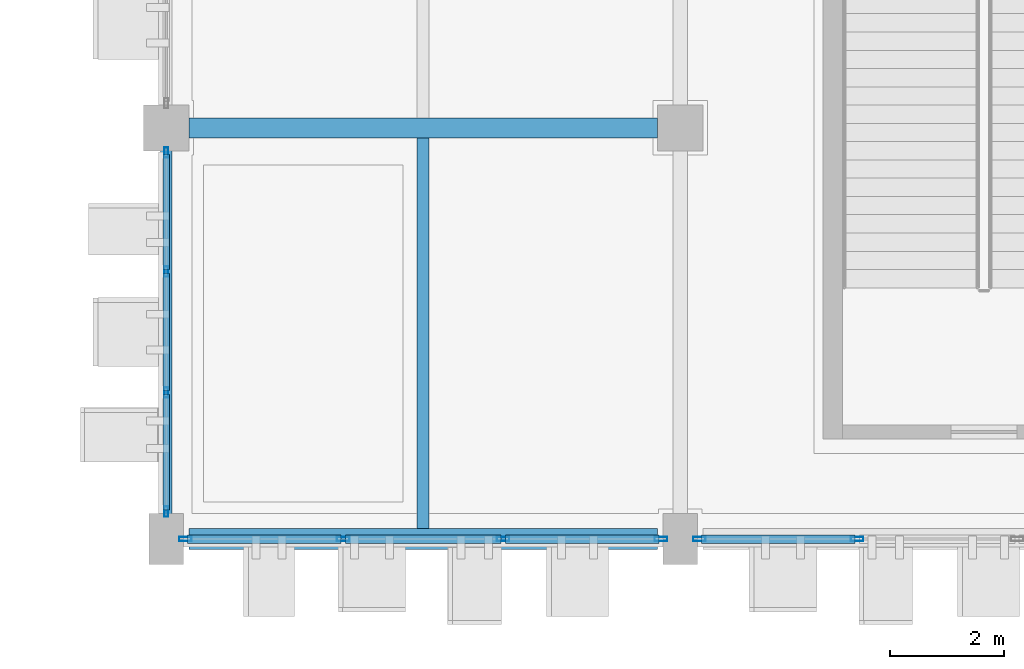
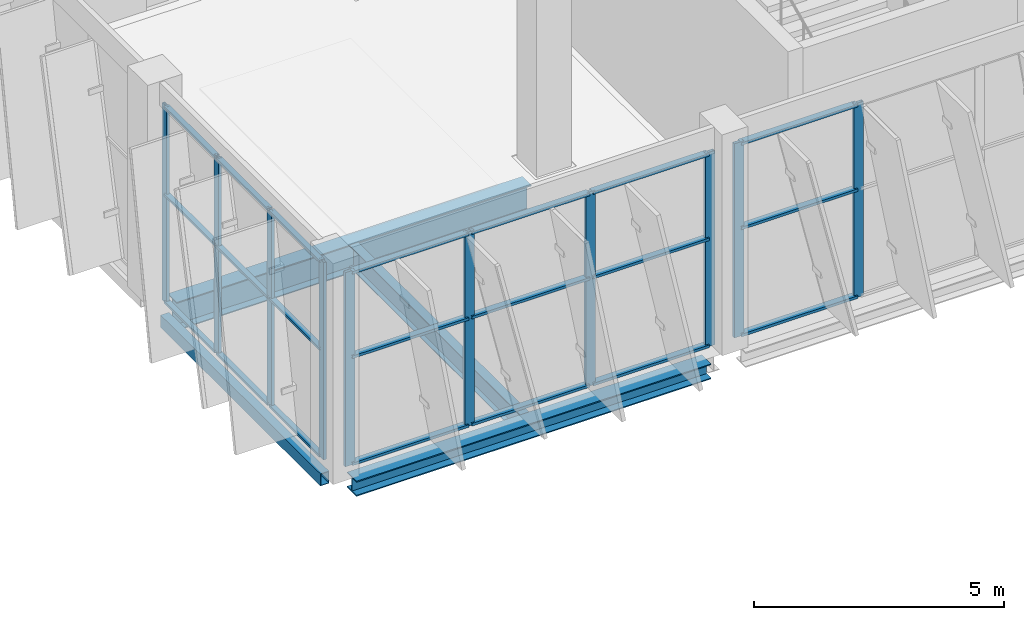
# One storey, part 26 of 137: 31 members, 4 beams, 3 elements without a shape of their own.
"""IFC4 building model written with IfcOpenShell, lengths in metres."""

import ifcopenshell
import ifcopenshell.guid

model = None  # the IFC model being written
_history = None  # IfcOwnerHistory: only IFC2X3 demands one
_inside = {}  # id of a spatial element -> (the spatial element, [elements in it])
_under = {}  # id of a project, library or spatial element -> (it, [spatial elements below it])
_declared = {}  # id of a project -> (the project, [libraries it declares])
_typed = {}  # id of a type object -> (the type object, [elements of that type])
_made_of = {}  # id of a material, layer set ... -> (it, [elements and type objects made of it])


def new_model(schema):
    """Start an empty IFC model of exactly this schema.

    Asked for "IFC4X3", IfcOpenShell would pick the latest addendum, in which some entities
    have other attributes; the version numbers below select the first issue.
    IFC2X3 requires an IfcOwnerHistory on every rooted entity: one is made here for all.
    """
    global model, _history
    if schema == "IFC4X3":
        model = ifcopenshell.file(schema_version=(4, 3, 0, 0))
    else:
        model = ifcopenshell.file(schema=schema)
    _inside.clear()
    _under.clear()
    _declared.clear()
    _typed.clear()
    _made_of.clear()
    _history = None
    if model.schema == "IFC2X3":
        org = make("IfcOrganization", Name="unknown")
        user = make(
            "IfcPersonAndOrganization",
            ThePerson=make("IfcPerson", FamilyName="unknown"),
            TheOrganization=org,
        )
        app = make(
            "IfcApplication",
            ApplicationDeveloper=org,
            Version="unknown",
            ApplicationFullName="unknown",
            ApplicationIdentifier="unknown",
        )
        _history = make(
            "IfcOwnerHistory",
            OwningUser=user,
            OwningApplication=app,
            ChangeAction="ADDED",
            CreationDate=0,
        )
    return model


def make(cls, **values):
    """One entity of the class cls with the attributes given. An attribute that is None is left unset."""
    return model.create_entity(
        cls, **{name: value for name, value in values.items() if value is not None}
    )


def rooted(cls, **values):
    """An entity with a GlobalId (a new one), such as an element, a storey or a relation."""
    return make(cls, GlobalId=ifcopenshell.guid.new(), OwnerHistory=_history, **values)


def si_unit(unit_type, name, prefix=None):
    """IfcSIUnit, for example si_unit("LENGTHUNIT", "METRE", prefix="MILLI")."""
    return make("IfcSIUnit", UnitType=unit_type, Prefix=prefix, Name=name)


def assignment(units):
    """IfcUnitAssignment: the units of a project."""
    return None if units is None else make("IfcUnitAssignment", Units=units)


def point(xyz):
    """IfcCartesianPoint."""
    return None if xyz is None else make("IfcCartesianPoint", Coordinates=xyz)


def direction(xyz):
    """IfcDirection."""
    return None if xyz is None else make("IfcDirection", DirectionRatios=xyz)


def frame(location, z_axis=None, x_axis=None):
    """IfcAxis2Placement3D, a coordinate frame: its origin and axes. An axis left out is left unset."""
    return make(
        "IfcAxis2Placement3D",
        Location=point(location),
        Axis=direction(z_axis),
        RefDirection=direction(x_axis),
    )


def frame_2d(location, x_axis=None):
    """IfcAxis2Placement2D, a coordinate frame in the plane: its origin and x axis."""
    return make(
        "IfcAxis2Placement2D", Location=point(location), RefDirection=direction(x_axis)
    )


def origin():
    """The frame at (0, 0, 0) with its axes left unset."""
    return frame((0.0, 0.0, 0.0))


def origin_2d():
    """The frame at (0, 0) in the plane with its x axis left unset."""
    return frame_2d((0.0, 0.0))


def place(relative_to, where):
    """IfcLocalPlacement: puts the frame where relative to a parent placement (None: the world)."""
    return make(
        "IfcLocalPlacement", PlacementRelTo=relative_to, RelativePlacement=where
    )


def context(
    kind, dimensions, precision=None, world=None, true_north=None, identifier=None
):
    """IfcGeometricRepresentationContext, for example the 3D "Model" context."""
    return make(
        "IfcGeometricRepresentationContext",
        ContextIdentifier=identifier,
        ContextType=kind,
        CoordinateSpaceDimension=dimensions,
        Precision=precision,
        WorldCoordinateSystem=world,
        TrueNorth=true_north,
    )


def subcontext(parent, identifier, kind, view, scale=None):
    """IfcGeometricRepresentationSubContext, for example "Body" below "Model"."""
    return make(
        "IfcGeometricRepresentationSubContext",
        ContextIdentifier=identifier,
        ContextType=kind,
        ParentContext=parent,
        TargetScale=scale,
        TargetView=view,
    )


def project(units=None, contexts=None):
    """IfcProject with its units and contexts."""
    return rooted(
        "IfcProject",
        Name="project",
        RepresentationContexts=contexts,
        UnitsInContext=assignment(units),
    )


def spatial(cls, under=None, at=None, **own):
    """A site, building, storey or space (cls), placed at a placement, below another one or the project."""
    s = rooted(cls, ObjectPlacement=at, **own)
    if under is not None:
        _under.setdefault(under.id(), (under, []))[1].append(s)
    return s


def profile(cls, at=None, kind="AREA", **sizes):
    """A parametric profile (cls). Its sizes go by their IFC names, for example OverallWidth=200.0."""
    return make(cls, ProfileType=kind, Position=at, **sizes)


def hollow_rectangle(**sizes):
    """IfcRectangleHollowProfileDef."""
    return profile("IfcRectangleHollowProfileDef", **sizes)


def i_section(**sizes):
    """IfcIShapeProfileDef."""
    return profile("IfcIShapeProfileDef", **sizes)


def extrude(swept, where, along, depth):
    """IfcExtrudedAreaSolid: the profile swept, set in the frame where, extruded along a direction by depth."""
    return make(
        "IfcExtrudedAreaSolid",
        SweptArea=swept,
        Position=where,
        ExtrudedDirection=direction(along),
        Depth=depth,
    )


def shape(context_of_items, identifier, shape_type, items):
    """IfcShapeRepresentation: the items that make up one representation, for example the "Body"."""
    return make(
        "IfcShapeRepresentation",
        ContextOfItems=context_of_items,
        RepresentationIdentifier=identifier,
        RepresentationType=shape_type,
        Items=items,
    )


def material(Name=None, Category=None):
    """IfcMaterial."""
    return make("IfcMaterial", Name=Name, Category=Category)


def layer(
    of_material, thickness, ventilated=None, Name=None, Category=None, Priority=None
):
    """IfcMaterialLayer: one layer of a wall or slab, of a material (None: an air gap)."""
    return make(
        "IfcMaterialLayer",
        Material=of_material,
        LayerThickness=thickness,
        IsVentilated=ventilated,
        Name=Name,
        Category=Category,
        Priority=Priority,
    )


def layer_set(layers, Name=None):
    """IfcMaterialLayerSet."""
    return make("IfcMaterialLayerSet", MaterialLayers=layers, LayerSetName=Name)


def material_profile(
    of_material, cross_section, Name=None, Category=None, Priority=None
):
    """IfcMaterialProfile: a cross section and its material."""
    return make(
        "IfcMaterialProfile",
        Name=Name,
        Material=of_material,
        Profile=cross_section,
        Priority=Priority,
        Category=Category,
    )


def profile_set(profiles, Name=None, composite=None):
    """IfcMaterialProfileSet."""
    return make(
        "IfcMaterialProfileSet",
        Name=Name,
        MaterialProfiles=profiles,
        CompositeProfile=composite,
    )


def made_of(thing, what):
    """Note that an element or type object is made of a material, layer set ...; save() writes the relation."""
    if what is not None:
        _made_of.setdefault(what.id(), (what, []))[1].append(thing)
    return thing


def type_object(cls, material=None, **own):
    """A type object (cls), such as IfcWallType, which elements share."""
    return made_of(rooted(cls, **own), material)


def element(
    cls,
    number,
    at=None,
    inside=None,
    cuts=None,
    type_object=None,
    material=None,
    context=None,
    identifier="Body",
    shape_type=None,
    held_by="IfcProductDefinitionShape",
    body=None,
    shapes=None,
    **own,
):
    """One element of the class cls, such as IfcWall. Its Tag is "e" and its number.

    at: its placement. inside: the storey or other place that contains it. cuts: it is an
    opening in that element (IfcRelVoidsElement). A single representation is given by context,
    identifier, shape_type and body (its items); several are given by shapes. held_by: the class
    of the entity that holds the representations. save() writes the other relations.
    """
    e = rooted(cls, Tag="e%d" % number, ObjectPlacement=at, **own)
    if body is not None:
        shapes = [shape(context, identifier, shape_type, body)]
    if shapes is not None:
        e.Representation = make(held_by, Representations=shapes)
    if inside is not None:
        _inside.setdefault(inside.id(), (inside, []))[1].append(e)
    if cuts is not None:
        rooted(
            "IfcRelVoidsElement", RelatingBuildingElement=cuts, RelatedOpeningElement=e
        )
    if type_object is not None:
        _typed.setdefault(type_object.id(), (type_object, []))[1].append(e)
    return made_of(e, material)


def aggregate(whole, parts):
    """IfcRelAggregates: a whole, such as a stair, and the parts it consists of."""
    return rooted("IfcRelAggregates", RelatingObject=whole, RelatedObjects=parts)


def save(model, path):
    """Write the relations noted so far, then the file.

    IfcRelAggregates (storeys below a building ...), IfcRelContainedInSpatialStructure (elements
    in a storey), IfcRelDefinesByType, IfcRelAssociatesMaterial and IfcRelDeclares: one each for
    every whole, place, type object, material and project.
    """
    for whole, parts in _under.values():
        aggregate(whole, parts)
    for where, things in _inside.values():
        rooted(
            "IfcRelContainedInSpatialStructure",
            RelatedElements=things,
            RelatingStructure=where,
        )
    for kind, things in _typed.values():
        rooted("IfcRelDefinesByType", RelatedObjects=things, RelatingType=kind)
    for what, things in _made_of.values():
        rooted("IfcRelAssociatesMaterial", RelatedObjects=things, RelatingMaterial=what)
    for by, libraries in _declared.values():
        rooted("IfcRelDeclares", RelatingContext=by, RelatedDefinitions=libraries)
    model.write(path)


model = new_model("IFC4")

# Units and contexts
model_context = context("Model", 3, precision=1e-05, world=origin(), true_north=direction((0.0, 1.0)))
body_context = subcontext(model_context, "Body", "Model", "MODEL_VIEW")
ifc_project = project(units=[si_unit("LENGTHUNIT", "METRE"), si_unit("AREAUNIT", "SQUARE_METRE"), si_unit("VOLUMEUNIT", "CUBIC_METRE"), si_unit("PLANEANGLEUNIT", "RADIAN"), si_unit("MASSUNIT", "GRAM", prefix="KILO")], contexts=[model_context])

# Site, building, storey
site_placement = place(None, origin())
site = spatial("IfcSite", under=ifc_project, at=site_placement, CompositionType="ELEMENT")
building_placement = place(site_placement, origin())
building = spatial("IfcBuilding", under=site, at=building_placement, Name="Celestram Park Convention Centre", CompositionType="ELEMENT")
storey_placement = place(building_placement, origin())
storey = spatial("IfcBuildingStorey", under=building, at=storey_placement, Name="L00", CompositionType="ELEMENT", Elevation=0.0)

# Curtain wall, members
ifc_material_1 = material(Name="Anodised Aluminium Alloy 6063-T6", Category="aluminium")
ifc_layer_1 = layer(ifc_material_1, 0.179931640625)
ifc_layer_set_1 = layer_set([ifc_layer_1], Name="Anodised Aluminium Alloy 6063-T6")
curtain_wall_type_1 = type_object("IfcCurtainWallType", Name="ARC-CW-635X482", PredefinedType="NOTDEFINED", material=ifc_layer_set_1)
curtain_wall_1_placement = place(storey_placement, origin())
curtain_wall_1 = element("IfcCurtainWall", 1, at=curtain_wall_1_placement, inside=storey, type_object=curtain_wall_type_1, Name="Unitised curtain wall CU-L00-033", PredefinedType="NOTDEFINED")
ifc_material_profile_1 = material_profile(ifc_material_1, hollow_rectangle(XDim=0.06494140625, YDim=0.179931640625, WallThickness=0.00390625, at=origin_2d()), Name="ALU65X180X4")
ifc_profile_set_1 = profile_set([ifc_material_profile_1], Name="Anodised Aluminium Alloy 6063-T6")
member_type_1 = type_object("IfcMemberType", Name="ARC-CWM-150", PredefinedType="MULLION", material=ifc_profile_set_1)
member_1_placement = place(storey_placement, frame((144.0, 0.48046875, 0.0), z_axis=(0.0, 0.0, 1.0), x_axis=(-1.0, 0.0, 0.0)))
member_1 = element("IfcMember", 2, at=member_1_placement, type_object=member_type_1, Name="CW-63X48 mullion 1", PredefinedType="MULLION", context=body_context, shape_type="SweptSolid", body=[
    extrude(hollow_rectangle(XDim=0.06494140625, YDim=0.179931640625, WallThickness=0.00390625, at=origin_2d()), origin(), (0.0, 0.0, 1.0), 4.820068359375),
])
member_2_placement = place(storey_placement, frame((144.0, 2.56591796875, 0.0), z_axis=(0.0, 0.0, 1.0), x_axis=(-1.0, 0.0, 0.0)))
member_2 = element("IfcMember", 3, at=member_2_placement, type_object=member_type_1, Name="CW-63X48 mullion 2", PredefinedType="MULLION", context=body_context, shape_type="SweptSolid", body=[
    extrude(hollow_rectangle(XDim=0.06494140625, YDim=0.179931640625, WallThickness=0.00390625, at=origin_2d()), origin(), (0.0, 0.0, 1.0), 4.820068359375),
])
member_3_placement = place(storey_placement, frame((144.0, 4.68408203125, 0.0), z_axis=(0.0, 0.0, 1.0), x_axis=(-1.0, 0.0, 0.0)))
member_3 = element("IfcMember", 4, at=member_3_placement, type_object=member_type_1, Name="CW-63X48 mullion 3", PredefinedType="MULLION", context=body_context, shape_type="SweptSolid", body=[
    extrude(hollow_rectangle(XDim=0.06494140625, YDim=0.179931640625, WallThickness=0.00390625, at=origin_2d()), origin(), (0.0, 0.0, 1.0), 4.820068359375),
])
member_4_placement = place(storey_placement, frame((144.0, 6.76953125, 0.0), z_axis=(0.0, 0.0, 1.0), x_axis=(-1.0, 0.0, 0.0)))
member_4 = element("IfcMember", 5, at=member_4_placement, type_object=member_type_1, Name="CW-63X48 mullion 4", PredefinedType="MULLION", context=body_context, shape_type="SweptSolid", body=[
    extrude(hollow_rectangle(XDim=0.06494140625, YDim=0.179931640625, WallThickness=0.00390625, at=origin_2d()), origin(), (0.0, 0.0, 1.0), 4.820068359375),
])

ifc_layer_2 = layer(ifc_material_1, 0.179931640625)
ifc_layer_set_2 = layer_set([ifc_layer_2], Name="Anodised Aluminium Alloy 6063-T6")
curtain_wall_type_2 = type_object("IfcCurtainWallType", Name="ARC-CW-840X475", PredefinedType="NOTDEFINED", material=ifc_layer_set_2)
curtain_wall_2_placement = place(storey_placement, origin())
curtain_wall_2 = element("IfcCurtainWall", 6, at=curtain_wall_2_placement, inside=storey, type_object=curtain_wall_type_2, Name="Unitised curtain wall CU-L00-031", PredefinedType="NOTDEFINED")
ifc_material_profile_2 = material_profile(ifc_material_1, hollow_rectangle(XDim=0.074951171875, YDim=0.219970703125, WallThickness=0.00390625, at=origin_2d()), Name="ALU75X220X4")
ifc_profile_set_2 = profile_set([ifc_material_profile_2], Name="Anodised Aluminium Alloy 6063-T6")
member_type_2 = type_object("IfcMemberType", Name="ARC-CWM-180", PredefinedType="MULLION", material=ifc_profile_set_2)
member_5_placement = place(storey_placement, frame((156.099365234375, 0.0, 0.0), z_axis=(0.0, 0.0, 1.0), x_axis=(0.0, -1.0, 0.0)))
member_5 = element("IfcMember", 7, at=member_5_placement, type_object=member_type_2, Name="CW-84X47 mullion 3", PredefinedType="MULLION", context=body_context, shape_type="SweptSolid", body=[
    extrude(hollow_rectangle(XDim=0.074951171875, YDim=0.219970703125, WallThickness=0.00390625, at=origin_2d()), origin(), (0.0, 0.0, 1.0), 4.7470703125),
])
member_6_placement = place(storey_placement, frame((153.33544921875, 0.0, 0.0), z_axis=(0.0, 0.0, 1.0), x_axis=(0.0, -1.0, 0.0)))
member_6 = element("IfcMember", 8, at=member_6_placement, type_object=member_type_2, Name="CW-84X47 mullion 4", PredefinedType="MULLION", context=body_context, shape_type="SweptSolid", body=[
    extrude(hollow_rectangle(XDim=0.074951171875, YDim=0.219970703125, WallThickness=0.00390625, at=origin_2d()), origin(), (0.0, 0.0, 1.0), 4.7470703125),
])

curtain_wall_3_placement = place(storey_placement, origin())
curtain_wall_3 = element("IfcCurtainWall", 9, at=curtain_wall_3_placement, inside=storey, type_object=curtain_wall_type_2, Name="Unitised curtain wall CU-L00-032", PredefinedType="NOTDEFINED")
member_7_placement = place(storey_placement, frame((152.66455078125, 0.0, 0.0), z_axis=(0.0, 0.0, 1.0), x_axis=(0.0, -1.0, 0.0)))
member_7 = element("IfcMember", 10, at=member_7_placement, type_object=member_type_2, Name="CW-84X47 mullion 1", PredefinedType="MULLION", context=body_context, shape_type="SweptSolid", body=[
    extrude(hollow_rectangle(XDim=0.074951171875, YDim=0.219970703125, WallThickness=0.00390625, at=origin_2d()), origin(), (0.0, 0.0, 1.0), 4.7470703125),
])
member_8_placement = place(storey_placement, frame((149.900634765625, 0.0, 0.0), z_axis=(0.0, 0.0, 1.0), x_axis=(0.0, -1.0, 0.0)))
member_8 = element("IfcMember", 11, at=member_8_placement, type_object=member_type_2, Name="CW-84X47 mullion 2", PredefinedType="MULLION", context=body_context, shape_type="SweptSolid", body=[
    extrude(hollow_rectangle(XDim=0.074951171875, YDim=0.219970703125, WallThickness=0.00390625, at=origin_2d()), origin(), (0.0, 0.0, 1.0), 4.7470703125),
])
member_9_placement = place(storey_placement, frame((147.099365234375, 0.0, 0.0), z_axis=(0.0, 0.0, 1.0), x_axis=(0.0, -1.0, 0.0)))
member_9 = element("IfcMember", 12, at=member_9_placement, type_object=member_type_2, Name="CW-84X47 mullion 3", PredefinedType="MULLION", context=body_context, shape_type="SweptSolid", body=[
    extrude(hollow_rectangle(XDim=0.074951171875, YDim=0.219970703125, WallThickness=0.00390625, at=origin_2d()), origin(), (0.0, 0.0, 1.0), 4.7470703125),
])
member_10_placement = place(storey_placement, frame((144.33544921875, 0.0, 0.0), z_axis=(0.0, 0.0, 1.0), x_axis=(0.0, -1.0, 0.0)))
member_10 = element("IfcMember", 13, at=member_10_placement, type_object=member_type_2, Name="CW-84X47 mullion 4", PredefinedType="MULLION", context=body_context, shape_type="SweptSolid", body=[
    extrude(hollow_rectangle(XDim=0.074951171875, YDim=0.219970703125, WallThickness=0.00390625, at=origin_2d()), origin(), (0.0, 0.0, 1.0), 4.7470703125),
])

# Member
ifc_material_profile_3 = material_profile(ifc_material_1, hollow_rectangle(XDim=0.1201171875, YDim=0.06005859375, WallThickness=0.0029296875, at=origin_2d()), Name="ALU120X60X3")
ifc_profile_set_3 = profile_set([ifc_material_profile_3], Name="Anodised Aluminium Alloy 6063-T6")
member_type_3 = type_object("IfcMemberType", Name="ARC-CWT-120", PredefinedType="USERDEFINED", material=ifc_profile_set_3)
member_11_placement = place(storey_placement, frame((144.0, 0.512939453125, 0.030029296875), z_axis=(0.0, 1.0, 0.0), x_axis=(-1.0, 0.0, 0.0)))
member_11 = element("IfcMember", 14, at=member_11_placement, type_object=member_type_3, Name="CW-63X48 transom 1.1", ObjectType="TRANSOM", PredefinedType="USERDEFINED", context=body_context, shape_type="SweptSolid", body=[
    extrude(hollow_rectangle(XDim=0.1201171875, YDim=0.06005859375, WallThickness=0.0029296875, at=origin_2d()), origin(), (0.0, 0.0, 1.0), 2.0205078125),
])

member_12_placement = place(storey_placement, frame((144.0, 0.512939453125, 2.64990234375), z_axis=(0.0, 1.0, 0.0), x_axis=(-1.0, 0.0, 0.0)))
member_12 = element("IfcMember", 15, at=member_12_placement, type_object=member_type_3, Name="CW-63X48 transom 1.2", ObjectType="TRANSOM", PredefinedType="USERDEFINED", context=body_context, shape_type="SweptSolid", body=[
    extrude(hollow_rectangle(XDim=0.1201171875, YDim=0.06005859375, WallThickness=0.0029296875, at=origin_2d()), origin(), (0.0, 0.0, 1.0), 2.0205078125),
])

member_13_placement = place(storey_placement, frame((144.0, 0.512939453125, 4.7900390625), z_axis=(0.0, 1.0, 0.0), x_axis=(-1.0, 0.0, 0.0)))
member_13 = element("IfcMember", 16, at=member_13_placement, type_object=member_type_3, Name="CW-63X48 transom 1.3", ObjectType="TRANSOM", PredefinedType="USERDEFINED", context=body_context, shape_type="SweptSolid", body=[
    extrude(hollow_rectangle(XDim=0.1201171875, YDim=0.06005859375, WallThickness=0.0029296875, at=origin_2d()), origin(), (0.0, 0.0, 1.0), 2.0205078125),
])

member_14_placement = place(storey_placement, frame((144.0, 2.598388671875, 0.030029296875), z_axis=(0.0, 1.0, 0.0), x_axis=(-1.0, 0.0, 0.0)))
member_14 = element("IfcMember", 17, at=member_14_placement, type_object=member_type_3, Name="CW-63X48 transom 2.1", ObjectType="TRANSOM", PredefinedType="USERDEFINED", context=body_context, shape_type="SweptSolid", body=[
    extrude(hollow_rectangle(XDim=0.1201171875, YDim=0.06005859375, WallThickness=0.0029296875, at=origin_2d()), origin(), (0.0, 0.0, 1.0), 2.05322265625),
])

member_15_placement = place(storey_placement, frame((144.0, 2.598388671875, 2.64990234375), z_axis=(0.0, 1.0, 0.0), x_axis=(-1.0, 0.0, 0.0)))
member_15 = element("IfcMember", 18, at=member_15_placement, type_object=member_type_3, Name="CW-63X48 transom 2.2", ObjectType="TRANSOM", PredefinedType="USERDEFINED", context=body_context, shape_type="SweptSolid", body=[
    extrude(hollow_rectangle(XDim=0.1201171875, YDim=0.06005859375, WallThickness=0.0029296875, at=origin_2d()), origin(), (0.0, 0.0, 1.0), 2.05322265625),
])

member_16_placement = place(storey_placement, frame((144.0, 2.598388671875, 4.7900390625), z_axis=(0.0, 1.0, 0.0), x_axis=(-1.0, 0.0, 0.0)))
member_16 = element("IfcMember", 19, at=member_16_placement, type_object=member_type_3, Name="CW-63X48 transom 2.3", ObjectType="TRANSOM", PredefinedType="USERDEFINED", context=body_context, shape_type="SweptSolid", body=[
    extrude(hollow_rectangle(XDim=0.1201171875, YDim=0.06005859375, WallThickness=0.0029296875, at=origin_2d()), origin(), (0.0, 0.0, 1.0), 2.05322265625),
])

member_17_placement = place(storey_placement, frame((144.0, 4.716552734375, 0.030029296875), z_axis=(0.0, 1.0, 0.0), x_axis=(-1.0, 0.0, 0.0)))
member_17 = element("IfcMember", 20, at=member_17_placement, type_object=member_type_3, Name="CW-63X48 transom 3.1", ObjectType="TRANSOM", PredefinedType="USERDEFINED", context=body_context, shape_type="SweptSolid", body=[
    extrude(hollow_rectangle(XDim=0.1201171875, YDim=0.06005859375, WallThickness=0.0029296875, at=origin_2d()), origin(), (0.0, 0.0, 1.0), 2.0205078125),
])

member_18_placement = place(storey_placement, frame((144.0, 4.716552734375, 2.64990234375), z_axis=(0.0, 1.0, 0.0), x_axis=(-1.0, 0.0, 0.0)))
member_18 = element("IfcMember", 21, at=member_18_placement, type_object=member_type_3, Name="CW-63X48 transom 3.2", ObjectType="TRANSOM", PredefinedType="USERDEFINED", context=body_context, shape_type="SweptSolid", body=[
    extrude(hollow_rectangle(XDim=0.1201171875, YDim=0.06005859375, WallThickness=0.0029296875, at=origin_2d()), origin(), (0.0, 0.0, 1.0), 2.0205078125),
])

member_19_placement = place(storey_placement, frame((144.0, 4.716552734375, 4.7900390625), z_axis=(0.0, 1.0, 0.0), x_axis=(-1.0, 0.0, 0.0)))
member_19 = element("IfcMember", 22, at=member_19_placement, type_object=member_type_3, Name="CW-63X48 transom 3.3", ObjectType="TRANSOM", PredefinedType="USERDEFINED", context=body_context, shape_type="SweptSolid", body=[
    extrude(hollow_rectangle(XDim=0.1201171875, YDim=0.06005859375, WallThickness=0.0029296875, at=origin_2d()), origin(), (0.0, 0.0, 1.0), 2.0205078125),
])

aggregate(curtain_wall_1, [member_1, member_2, member_3, member_4, member_11, member_12, member_13, member_14, member_15, member_16, member_17, member_18, member_19])

ifc_material_profile_4 = material_profile(ifc_material_1, hollow_rectangle(XDim=0.14990234375, YDim=0.06494140625, WallThickness=0.0029296875, at=origin_2d()), Name="ALU150X65X3")
ifc_profile_set_4 = profile_set([ifc_material_profile_4], Name="Anodised Aluminium Alloy 6063-T6")
member_type_4 = type_object("IfcMemberType", Name="ARC-CWT-150", PredefinedType="USERDEFINED", material=ifc_profile_set_4)
member_20_placement = place(storey_placement, frame((156.061767578125, 0.0, 0.032470703125), z_axis=(-1.0, 0.0, 0.0), x_axis=(0.0, -1.0, 0.0)))
member_20 = element("IfcMember", 23, at=member_20_placement, type_object=member_type_4, Name="CW-84X47 transom 3.1", ObjectType="TRANSOM", PredefinedType="USERDEFINED", context=body_context, shape_type="SweptSolid", body=[
    extrude(hollow_rectangle(XDim=0.14990234375, YDim=0.06494140625, WallThickness=0.0029296875, at=origin_2d()), origin(), (0.0, 0.0, 1.0), 2.688720703125),
])

member_21_placement = place(storey_placement, frame((156.061767578125, 0.0, 2.64990234375), z_axis=(-1.0, 0.0, 0.0), x_axis=(0.0, -1.0, 0.0)))
member_21 = element("IfcMember", 24, at=member_21_placement, type_object=member_type_4, Name="CW-84X47 transom 3.2", ObjectType="TRANSOM", PredefinedType="USERDEFINED", context=body_context, shape_type="SweptSolid", body=[
    extrude(hollow_rectangle(XDim=0.14990234375, YDim=0.06494140625, WallThickness=0.0029296875, at=origin_2d()), origin(), (0.0, 0.0, 1.0), 2.688720703125),
])

member_22_placement = place(storey_placement, frame((156.061767578125, 0.0, 4.714599609375), z_axis=(-1.0, 0.0, 0.0), x_axis=(0.0, -1.0, 0.0)))
member_22 = element("IfcMember", 25, at=member_22_placement, type_object=member_type_4, Name="CW-84X47 transom 3.3", ObjectType="TRANSOM", PredefinedType="USERDEFINED", context=body_context, shape_type="SweptSolid", body=[
    extrude(hollow_rectangle(XDim=0.14990234375, YDim=0.06494140625, WallThickness=0.0029296875, at=origin_2d()), origin(), (0.0, 0.0, 1.0), 2.688720703125),
])

aggregate(curtain_wall_2, [member_5, member_6, member_20, member_21, member_22])

member_23_placement = place(storey_placement, frame((152.626953125, 0.0, 0.032470703125), z_axis=(-1.0, 0.0, 0.0), x_axis=(0.0, -1.0, 0.0)))
member_23 = element("IfcMember", 26, at=member_23_placement, type_object=member_type_4, Name="CW-84X47 transom 1.1", ObjectType="TRANSOM", PredefinedType="USERDEFINED", context=body_context, shape_type="SweptSolid", body=[
    extrude(hollow_rectangle(XDim=0.14990234375, YDim=0.06494140625, WallThickness=0.0029296875, at=origin_2d()), origin(), (0.0, 0.0, 1.0), 2.688720703125),
])

member_24_placement = place(storey_placement, frame((152.626953125, 0.0, 2.64990234375), z_axis=(-1.0, 0.0, 0.0), x_axis=(0.0, -1.0, 0.0)))
member_24 = element("IfcMember", 27, at=member_24_placement, type_object=member_type_4, Name="CW-84X47 transom 1.2", ObjectType="TRANSOM", PredefinedType="USERDEFINED", context=body_context, shape_type="SweptSolid", body=[
    extrude(hollow_rectangle(XDim=0.14990234375, YDim=0.06494140625, WallThickness=0.0029296875, at=origin_2d()), origin(), (0.0, 0.0, 1.0), 2.688720703125),
])

member_25_placement = place(storey_placement, frame((152.626953125, 0.0, 4.714599609375), z_axis=(-1.0, 0.0, 0.0), x_axis=(0.0, -1.0, 0.0)))
member_25 = element("IfcMember", 28, at=member_25_placement, type_object=member_type_4, Name="CW-84X47 transom 1.3", ObjectType="TRANSOM", PredefinedType="USERDEFINED", context=body_context, shape_type="SweptSolid", body=[
    extrude(hollow_rectangle(XDim=0.14990234375, YDim=0.06494140625, WallThickness=0.0029296875, at=origin_2d()), origin(), (0.0, 0.0, 1.0), 2.688720703125),
])

member_26_placement = place(storey_placement, frame((149.86328125, 0.0, 0.032470703125), z_axis=(-1.0, 0.0, 0.0), x_axis=(0.0, -1.0, 0.0)))
member_26 = element("IfcMember", 29, at=member_26_placement, type_object=member_type_4, Name="CW-84X47 transom 2.1", ObjectType="TRANSOM", PredefinedType="USERDEFINED", context=body_context, shape_type="SweptSolid", body=[
    extrude(hollow_rectangle(XDim=0.14990234375, YDim=0.06494140625, WallThickness=0.0029296875, at=origin_2d()), origin(), (0.0, 0.0, 1.0), 2.7265625),
])

member_27_placement = place(storey_placement, frame((149.86328125, 0.0, 2.64990234375), z_axis=(-1.0, 0.0, 0.0), x_axis=(0.0, -1.0, 0.0)))
member_27 = element("IfcMember", 30, at=member_27_placement, type_object=member_type_4, Name="CW-84X47 transom 2.2", ObjectType="TRANSOM", PredefinedType="USERDEFINED", context=body_context, shape_type="SweptSolid", body=[
    extrude(hollow_rectangle(XDim=0.14990234375, YDim=0.06494140625, WallThickness=0.0029296875, at=origin_2d()), origin(), (0.0, 0.0, 1.0), 2.7265625),
])

member_28_placement = place(storey_placement, frame((149.86328125, 0.0, 4.714599609375), z_axis=(-1.0, 0.0, 0.0), x_axis=(0.0, -1.0, 0.0)))
member_28 = element("IfcMember", 31, at=member_28_placement, type_object=member_type_4, Name="CW-84X47 transom 2.3", ObjectType="TRANSOM", PredefinedType="USERDEFINED", context=body_context, shape_type="SweptSolid", body=[
    extrude(hollow_rectangle(XDim=0.14990234375, YDim=0.06494140625, WallThickness=0.0029296875, at=origin_2d()), origin(), (0.0, 0.0, 1.0), 2.7265625),
])

member_29_placement = place(storey_placement, frame((147.061767578125, 0.0, 0.032470703125), z_axis=(-1.0, 0.0, 0.0), x_axis=(0.0, -1.0, 0.0)))
member_29 = element("IfcMember", 32, at=member_29_placement, type_object=member_type_4, Name="CW-84X47 transom 3.1", ObjectType="TRANSOM", PredefinedType="USERDEFINED", context=body_context, shape_type="SweptSolid", body=[
    extrude(hollow_rectangle(XDim=0.14990234375, YDim=0.06494140625, WallThickness=0.0029296875, at=origin_2d()), origin(), (0.0, 0.0, 1.0), 2.688720703125),
])

member_30_placement = place(storey_placement, frame((147.061767578125, 0.0, 2.64990234375), z_axis=(-1.0, 0.0, 0.0), x_axis=(0.0, -1.0, 0.0)))
member_30 = element("IfcMember", 33, at=member_30_placement, type_object=member_type_4, Name="CW-84X47 transom 3.2", ObjectType="TRANSOM", PredefinedType="USERDEFINED", context=body_context, shape_type="SweptSolid", body=[
    extrude(hollow_rectangle(XDim=0.14990234375, YDim=0.06494140625, WallThickness=0.0029296875, at=origin_2d()), origin(), (0.0, 0.0, 1.0), 2.688720703125),
])

member_31_placement = place(storey_placement, frame((147.061767578125, 0.0, 4.714599609375), z_axis=(-1.0, 0.0, 0.0), x_axis=(0.0, -1.0, 0.0)))
member_31 = element("IfcMember", 34, at=member_31_placement, type_object=member_type_4, Name="CW-84X47 transom 3.3", ObjectType="TRANSOM", PredefinedType="USERDEFINED", context=body_context, shape_type="SweptSolid", body=[
    extrude(hollow_rectangle(XDim=0.14990234375, YDim=0.06494140625, WallThickness=0.0029296875, at=origin_2d()), origin(), (0.0, 0.0, 1.0), 2.688720703125),
])

aggregate(curtain_wall_3, [member_7, member_8, member_9, member_10, member_23, member_24, member_25, member_26, member_27, member_28, member_29, member_30, member_31])

# Beams
ifc_material_2 = material(Name="Steel ASTM A992 Grade 50", Category="steel")
ifc_material_profile_5 = material_profile(ifc_material_2, i_section(OverallWidth=0.35595703125, OverallDepth=0.696044921875, WebThickness=0.015380859375, FlangeThickness=0.02490234375, at=origin_2d()), Name="W27X146")
ifc_profile_set_5 = profile_set([ifc_material_profile_5], Name="Steel ASTM A992 Grade 50")
beam_type_1 = type_object("IfcBeamType", Name="STR-BM-W27X146", PredefinedType="BEAM", material=ifc_profile_set_5)
beam_1_placement = place(storey_placement, frame((144.39794921875, 7.199951171875, -0.66796875), z_axis=(1.0, 0.0, 0.0), x_axis=(0.0, 1.0, 0.0)))
element("IfcBeam", 35, at=beam_1_placement, inside=storey, type_object=beam_type_1, Name="Primary X-girder BG-L00-0662", PredefinedType="BEAM", context=body_context, shape_type="SweptSolid", body=[
    extrude(i_section(OverallWidth=0.35595703125, OverallDepth=0.696044921875, WebThickness=0.015380859375, FlangeThickness=0.02490234375, at=origin_2d()), origin(), (0.0, 0.0, 1.0), 8.2041015625),
])
ifc_material_profile_6 = material_profile(ifc_material_2, i_section(OverallWidth=0.2099609375, OverallDepth=0.532958984375, WebThickness=0.01025390625, FlangeThickness=0.015625, at=origin_2d()), Name="W21X62")
ifc_profile_set_6 = profile_set([ifc_material_profile_6], Name="Steel ASTM A992 Grade 50")
beam_type_2 = type_object("IfcBeamType", Name="STR-JST-W21X62", PredefinedType="JOIST", material=ifc_profile_set_6)
beam_2_placement = place(storey_placement, frame((148.5, 0.181884765625, -0.58642578125), z_axis=(0.0, 1.0, 0.0), x_axis=(-1.0, 0.0, 0.0)))
element("IfcBeam", 36, at=beam_2_placement, inside=storey, type_object=beam_type_2, Name="Secondary composite joist BG-L00-1171", PredefinedType="JOIST", context=body_context, shape_type="SweptSolid", body=[
    extrude(i_section(OverallWidth=0.2099609375, OverallDepth=0.532958984375, WebThickness=0.01025390625, FlangeThickness=0.015625, at=origin_2d()), origin(), (0.0, 0.0, 1.0), 6.843994140625),
])
ifc_material_3 = material(Name="Steel ASTM A500 Grade C", Category="steel")
ifc_material_profile_7 = material_profile(ifc_material_3, hollow_rectangle(XDim=0.199951171875, YDim=0.300048828125, WallThickness=0.011962890625, at=origin_2d()), Name="HSS300X200X12")
ifc_profile_set_7 = profile_set([ifc_material_profile_7], Name="Steel ASTM A500 Grade C")
beam_type_3 = type_object("IfcBeamType", Name="STR-SPN-HSS300X200", PredefinedType="SPANDREL", material=ifc_profile_set_7)
beam_3_placement = place(storey_placement, frame((144.0, 0.39794921875, -0.469970703125), z_axis=(0.0, 1.0, 0.0), x_axis=(-1.0, 0.0, 0.0)))
element("IfcBeam", 37, at=beam_3_placement, inside=storey, type_object=beam_type_3, Name="Primary Y-girder BG-L00-0661", PredefinedType="SPANDREL", context=body_context, shape_type="SweptSolid", body=[
    extrude(hollow_rectangle(XDim=0.199951171875, YDim=0.300048828125, WallThickness=0.011962890625, at=origin_2d()), origin(), (0.0, 0.0, 1.0), 6.404052734375),
])
ifc_material_profile_8 = material_profile(ifc_material_2, i_section(OverallWidth=0.373046875, OverallDepth=0.373046875, WebThickness=0.016357421875, FlangeThickness=0.026123046875, at=origin_2d()), Name="W14X132")
ifc_profile_set_8 = profile_set([ifc_material_profile_8], Name="Steel ASTM A992 Grade 50")
beam_type_4 = type_object("IfcBeamType", Name="STR-SPN-W14X132", PredefinedType="SPANDREL", material=ifc_profile_set_8)
beam_4_placement = place(storey_placement, frame((144.39794921875, 0.0, -0.506591796875), z_axis=(1.0, 0.0, 0.0), x_axis=(0.0, 1.0, 0.0)))
element("IfcBeam", 38, at=beam_4_placement, inside=storey, type_object=beam_type_4, Name="Primary X-girder BG-L00-0660", PredefinedType="SPANDREL", context=body_context, shape_type="SweptSolid", body=[
    extrude(i_section(OverallWidth=0.373046875, OverallDepth=0.373046875, WebThickness=0.016357421875, FlangeThickness=0.026123046875, at=origin_2d()), origin(), (0.0, 0.0, 1.0), 8.2041015625),
])

save(model, "model.ifc")
